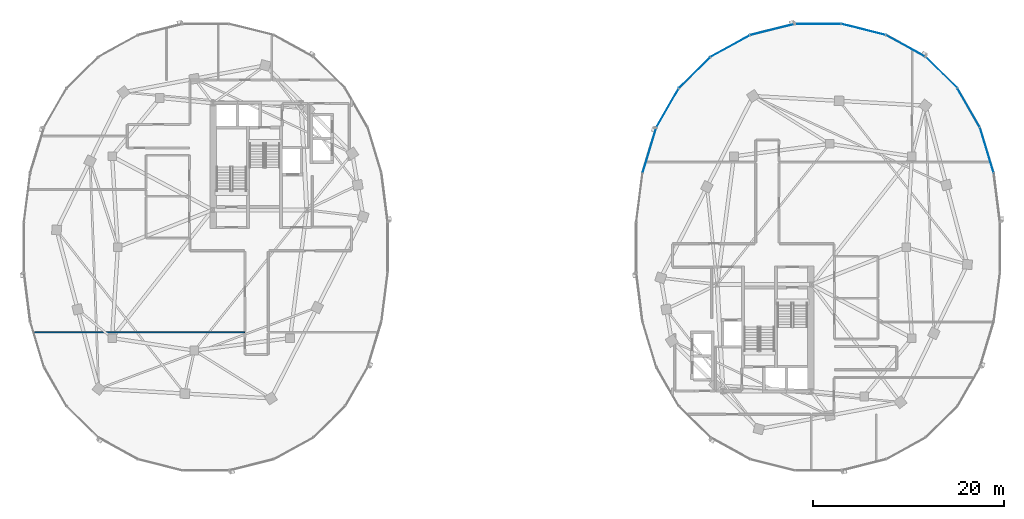
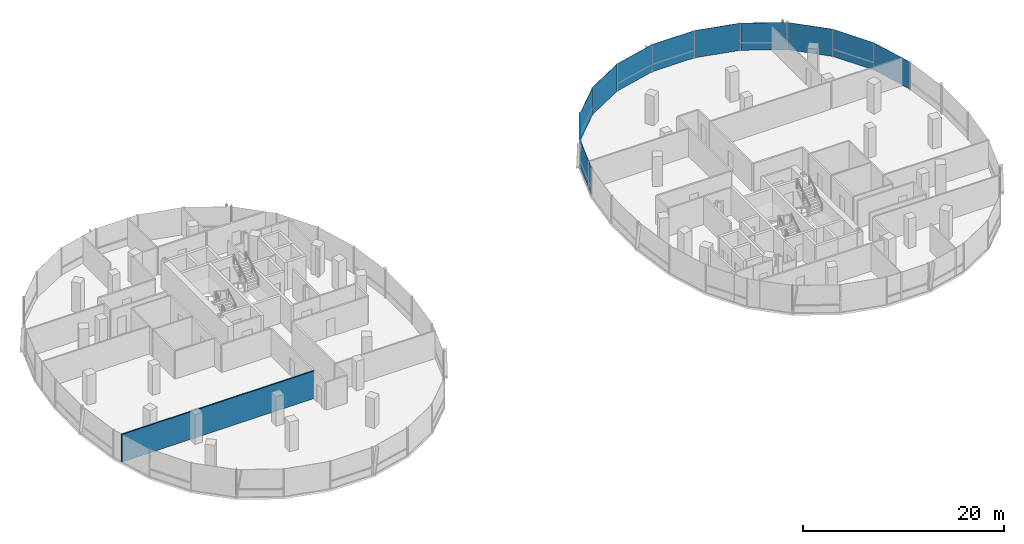
# One storey, part 11 of 22: 11 plates, 1 wall, 2 elements without a shape of their own.
"""IFC4 building model written with IfcOpenShell, lengths in metres."""

from ifc_helpers import new_model, si_unit, direction, frame, frame_2d, origin, origin_2d, place, context, subcontext, project, spatial, rectangle, extrude, material, layer, layer_set, type_object, element, aggregate, save


model = new_model("IFC4")

# Units and contexts
model_context = context("Model", 3, precision=1e-05, world=origin(), true_north=direction((0.0, 1.0)))
body_context = subcontext(model_context, "Body", "Model", "MODEL_VIEW")
ifc_project = project(units=[si_unit("LENGTHUNIT", "METRE"), si_unit("AREAUNIT", "SQUARE_METRE"), si_unit("VOLUMEUNIT", "CUBIC_METRE"), si_unit("PLANEANGLEUNIT", "RADIAN"), si_unit("MASSUNIT", "GRAM", prefix="KILO"), si_unit("THERMODYNAMICTEMPERATUREUNIT", "KELVIN"), si_unit("POWERUNIT", "WATT")], contexts=[model_context])

# Site, building, storey
site_placement = place(None, origin())
site = spatial("IfcSite", under=ifc_project, at=site_placement, CompositionType="ELEMENT")
building_placement = place(site_placement, origin())
building = spatial("IfcBuilding", under=site, at=building_placement, Name="Cundina Bronze Exchange", CompositionType="ELEMENT")
storey_placement = place(building_placement, frame((0.0, 0.0, 158.39990234375)))
storey = spatial("IfcBuildingStorey", under=building, at=storey_placement, Name="L41", CompositionType="ELEMENT", Elevation=158.39990234375)

# Curtain wall, plates
ifc_material_1 = material(Name="Anodised Bronze Aluminium 6063-T6", Category="aluminium")
curtain_wall_type = type_object("IfcCurtainWallType", Name="CWS-WST-PIN", PredefinedType="NOTDEFINED", material=ifc_material_1)
curtain_wall_1_placement = place(storey_placement, origin())
curtain_wall_1 = element("IfcCurtainWall", 1, at=curtain_wall_1_placement, inside=storey, type_object=curtain_wall_type, Name="L41 CW-04 Curtain Wall Run CWR-L41-E1", PredefinedType="NOTDEFINED")
ifc_material_2 = material(Name="Heat-Strengthened Solar-Control Bronze Safety Glass 28mm", Category="glass")
ifc_layer_1 = layer(ifc_material_2, 0.028076171875, Name="Heat-Strengthened Solar-Control Bronze Safety Glass 28mm", Category="glass")
ifc_layer_set_1 = layer_set([ifc_layer_1], Name="Heat-Strengthened Solar-Control Bronze Safety Glass 28mm")
plate_type_1 = type_object("IfcPlateType", Name="PLT-GLZ-VIS28", PredefinedType="CURTAIN_PANEL", material=ifc_layer_set_1)
plate_1_placement = place(storey_placement, frame((49.63330078125, 10.14208984375, 0.02001953125), z_axis=(0.0, 0.0, 1.0), x_axis=(-0.290050843957, 0.957011237092, 0.0)))
plate_1 = element("IfcPlate", 2, at=plate_1_placement, type_object=plate_type_1, Name="CW-04 Glazed Panel 2", PredefinedType="CURTAIN_PANEL", context=body_context, shape_type="SweptSolid", body=[
    extrude(rectangle(XDim=4.885009765625, YDim=0.028076171875, at=origin_2d()), origin(), (0.0, 0.0, 1.0), 3.320068359375),
])
plate_2_placement = place(storey_placement, frame((47.734375, 14.564697265625, 0.02001953125), z_axis=(0.0, 0.0, 1.0), x_axis=(-0.498487739754, 0.866896748936, 0.0)))
plate_2 = element("IfcPlate", 3, at=plate_2_placement, type_object=plate_type_1, Name="CW-04 Glazed Panel 3", PredefinedType="CURTAIN_PANEL", context=body_context, shape_type="SweptSolid", body=[
    extrude(rectangle(XDim=4.676513671875, YDim=0.028076171875, at=origin_2d()), origin(), (0.0, 0.0, 1.0), 3.320068359375),
])
plate_3_placement = place(storey_placement, frame((41.16845703125, 21.02880859375, 0.02001953125), z_axis=(0.0, 0.0, 1.0), x_axis=(-0.875869093438, 0.482548786301, 0.0)))
plate_3 = element("IfcPlate", 4, at=plate_3_placement, type_object=plate_type_1, Name="CW-04 Glazed Panel 5", PredefinedType="CURTAIN_PANEL", context=body_context, shape_type="SweptSolid", body=[
    extrude(rectangle(XDim=4.661865234375, YDim=0.028076171875, at=origin_2d()), origin(), (0.0, 0.0, 1.0), 3.320068359375),
])
plate_4_placement = place(storey_placement, frame((36.76513671875, 22.75244140625, 0.02001953125), z_axis=(0.0, 0.0, 1.0), x_axis=(-0.970092713791, 0.242734683656, 0.0)))
plate_4 = element("IfcPlate", 5, at=plate_4_placement, type_object=plate_type_1, Name="CW-04 Glazed Panel 6", PredefinedType="CURTAIN_PANEL", context=body_context, shape_type="SweptSolid", body=[
    extrude(rectangle(XDim=4.7548828125, YDim=0.028076171875, at=origin_2d()), origin(), (0.0, 0.0, 1.0), 3.320068359375),
])
plate_5_placement = place(storey_placement, frame((32.0, 23.3369140625, 0.02001953125), z_axis=(0.0, 0.0, 1.0), x_axis=(-1.0, 0.0, 0.0)))
plate_5 = element("IfcPlate", 6, at=plate_5_placement, type_object=plate_type_1, Name="CW-04 Glazed Panel 7", PredefinedType="CURTAIN_PANEL", context=body_context, shape_type="SweptSolid", body=[
    extrude(rectangle(XDim=4.7958984375, YDim=0.028076171875, at=origin_2d()), origin(), (0.0, 0.0, 1.0), 3.320068359375),
])

curtain_wall_2_placement = place(storey_placement, origin())
curtain_wall_2 = element("IfcCurtainWall", 7, at=curtain_wall_2_placement, inside=storey, type_object=curtain_wall_type, Name="L41 CW-04 Curtain Wall Run CWR-L41-E2", PredefinedType="NOTDEFINED")
plate_6_placement = place(storey_placement, frame((27.23486328125, 22.75244140625, 0.02001953125), z_axis=(0.0, 0.0, 1.0), x_axis=(-0.970092713791, -0.242734683656, 0.0)))
plate_6 = element("IfcPlate", 8, at=plate_6_placement, type_object=plate_type_1, Name="CW-04 Glazed Panel 1", PredefinedType="CURTAIN_PANEL", context=body_context, shape_type="SweptSolid", body=[
    extrude(rectangle(XDim=4.7548828125, YDim=0.028076171875, at=origin_2d()), origin(), (0.0, 0.0, 1.0), 3.320068359375),
])
plate_7_placement = place(storey_placement, frame((22.83154296875, 21.02880859375, 0.02001953125), z_axis=(0.0, 0.0, 1.0), x_axis=(-0.875869093438, -0.482548786301, 0.0)))
plate_7 = element("IfcPlate", 9, at=plate_7_placement, type_object=plate_type_1, Name="CW-04 Glazed Panel 2", PredefinedType="CURTAIN_PANEL", context=body_context, shape_type="SweptSolid", body=[
    extrude(rectangle(XDim=4.661865234375, YDim=0.028076171875, at=origin_2d()), origin(), (0.0, 0.0, 1.0), 3.320068359375),
])
plate_8_placement = place(storey_placement, frame((16.265625, 14.564697265625, 0.02001953125), z_axis=(0.0, 0.0, 1.0), x_axis=(-0.498487739754, -0.866896748936, 0.0)))
plate_8 = element("IfcPlate", 10, at=plate_8_placement, type_object=plate_type_1, Name="CW-04 Glazed Panel 4", PredefinedType="CURTAIN_PANEL", context=body_context, shape_type="SweptSolid", body=[
    extrude(rectangle(XDim=4.676513671875, YDim=0.028076171875, at=origin_2d()), origin(), (0.0, 0.0, 1.0), 3.320068359375),
])
plate_9_placement = place(storey_placement, frame((14.36669921875, 10.14208984375, 0.02001953125), z_axis=(0.0, 0.0, 1.0), x_axis=(-0.290050843957, -0.957011237092, 0.0)))
plate_9 = element("IfcPlate", 11, at=plate_9_placement, type_object=plate_type_1, Name="CW-04 Glazed Panel 5", PredefinedType="CURTAIN_PANEL", context=body_context, shape_type="SweptSolid", body=[
    extrude(rectangle(XDim=4.885009765625, YDim=0.028076171875, at=origin_2d()), origin(), (0.0, 0.0, 1.0), 3.320068359375),
])

# Plate
ifc_material_3 = material(Name="Dark Bronze Spandrel Glass Panel 32mm", Category="glass")
ifc_layer_2 = layer(ifc_material_3, 0.031982421875, Name="Dark Bronze Spandrel Glass Panel 32mm", Category="glass")
ifc_layer_set_2 = layer_set([ifc_layer_2], Name="Dark Bronze Spandrel Glass Panel 32mm")
plate_type_2 = type_object("IfcPlateType", Name="PLT-SPN-BRZ32", PredefinedType="CURTAIN_PANEL", material=ifc_layer_set_2)
plate_10_placement = place(storey_placement, frame((44.894775390625, 18.253662109375, 0.02001953125), z_axis=(0.0, 0.0, 1.0), x_axis=(-0.711989280367, 0.702190333629, 0.0)))
plate_10 = element("IfcPlate", 12, at=plate_10_placement, type_object=plate_type_2, Name="CW-04 Glazed Panel 4", PredefinedType="CURTAIN_PANEL", context=body_context, shape_type="SweptSolid", body=[
    extrude(rectangle(XDim=4.6025390625, YDim=0.031982421875, at=origin_2d()), origin(), (0.0, 0.0, 1.0), 3.320068359375),
])

aggregate(curtain_wall_1, [plate_1, plate_2, plate_10, plate_3, plate_4, plate_5])

plate_11_placement = place(storey_placement, frame((19.105224609375, 18.253662109375, 0.02001953125), z_axis=(0.0, 0.0, 1.0), x_axis=(-0.711989280367, -0.702190333629, 0.0)))
plate_11 = element("IfcPlate", 13, at=plate_11_placement, type_object=plate_type_2, Name="CW-04 Glazed Panel 3", PredefinedType="CURTAIN_PANEL", context=body_context, shape_type="SweptSolid", body=[
    extrude(rectangle(XDim=4.6025390625, YDim=0.031982421875, at=origin_2d()), origin(), (0.0, 0.0, 1.0), 3.320068359375),
])

aggregate(curtain_wall_2, [plate_6, plate_7, plate_11, plate_8, plate_9])

# Wall
ifc_material_4 = material(Name="Gypsum Acoustic Partition EI60")
ifc_layer_3 = layer(ifc_material_4, 0.14990234375, Name="Gypsum Acoustic Partition EI60")
ifc_layer_set_3 = layer_set([ifc_layer_3], Name="Gypsum Acoustic Partition EI60")
wall_type = type_object("IfcWallType", Name="WL-TEN-150", PredefinedType="PARTITIONING", material=ifc_layer_set_3)
wall_placement = place(storey_placement, frame((-50.081787109375, -8.889892578125, 0.0), z_axis=(0.0, 0.0, 1.0), x_axis=(1.0, 0.0, 0.0)))
element("IfcWall", 14, at=wall_placement, inside=storey, type_object=wall_type, Name="L41 Interior Partition 016", PredefinedType="PARTITIONING", context=body_context, shape_type="SweptSolid", body=[
    extrude(rectangle(XDim=22.1318359375, YDim=0.14990234375, at=frame_2d((11.06591796875, 0.0))), origin(), (0.0, 0.0, 1.0), 3.360107421875),
])

save(model, "model.ifc")
